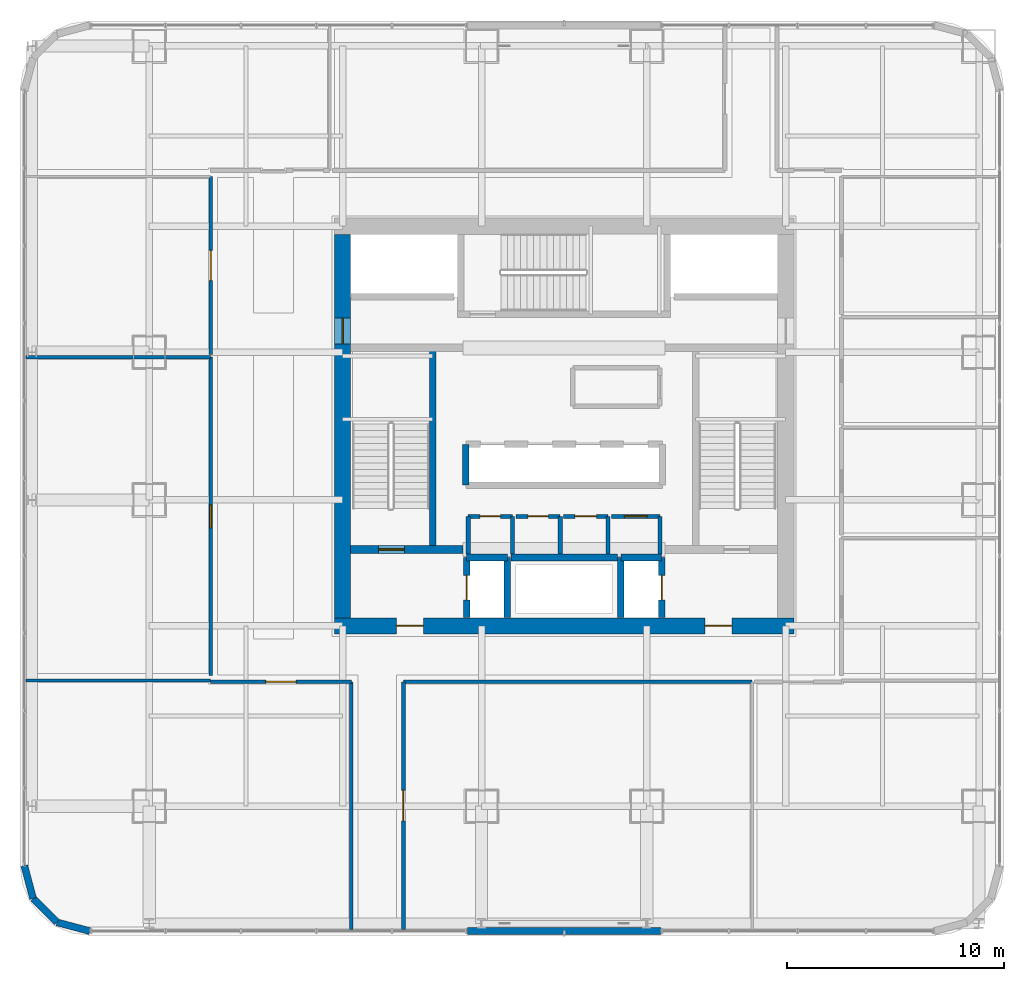
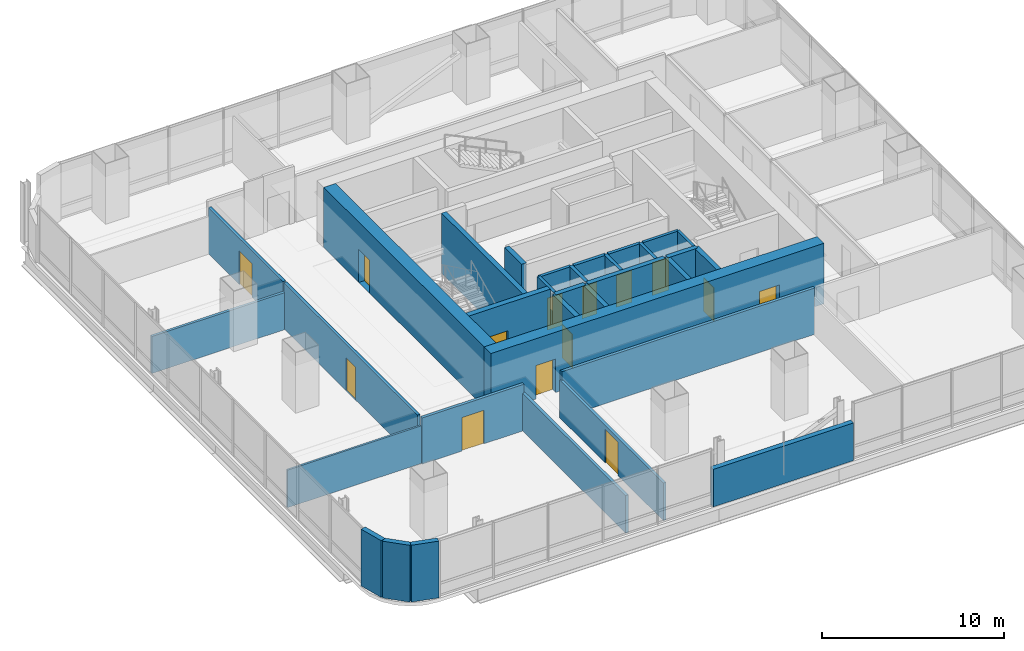
# One storey, part 26 of 37: 33 walls, 14 doors, 14 openings.
"""IFC4 building model written with IfcOpenShell, lengths in metres."""

from ifc_helpers import new_model, si_unit, direction, frame, frame_2d, origin, place, context, subcontext, project, spatial, rectangle, extrude, material, layer, layer_set, type_object, element, fill, save


model = new_model("IFC4")

# Units and contexts
model_context = context("Model", 3, precision=1e-05, world=origin(), true_north=direction((0.0, 1.0)))
body_context = subcontext(model_context, "Body", "Model", "MODEL_VIEW")
ifc_project = project(units=[si_unit("LENGTHUNIT", "METRE"), si_unit("AREAUNIT", "SQUARE_METRE"), si_unit("VOLUMEUNIT", "CUBIC_METRE"), si_unit("PLANEANGLEUNIT", "RADIAN"), si_unit("MASSUNIT", "GRAM", prefix="KILO")], contexts=[model_context])

# Site, building, storey
site_placement = place(None, origin())
site = spatial("IfcSite", under=ifc_project, at=site_placement, CompositionType="ELEMENT")
building_placement = place(site_placement, origin())
building = spatial("IfcBuilding", under=site, at=building_placement, Name="Punatoya Terracotta Tower", CompositionType="ELEMENT")
storey_placement = place(building_placement, frame((0.0, 0.0, 44.39990234375)))
storey = spatial("IfcBuildingStorey", under=building, at=storey_placement, Name="L09", CompositionType="ELEMENT", Elevation=44.39990234375)

# Wall, openings, doors
ifc_material_1 = material(Name="Concrete C60/75", Category="concrete")
ifc_layer_1 = layer(ifc_material_1, 0.75)
ifc_layer_set_1 = layer_set([ifc_layer_1], Name="Concrete C60/75")
wall_type_1 = type_object("IfcWallType", Name="WL-COR-750", PredefinedType="SHEAR", material=ifc_layer_set_1)
wall_1_placement = place(storey_placement, frame((10.574951171875, -9.199951171875, 0.0), z_axis=(0.0, 0.0, 1.0), x_axis=(-1.0, 0.0, 0.0)))
wall_1 = element("IfcWall", 1, at=wall_1_placement, inside=storey, type_object=wall_type_1, Name="L09 Core Shear Wall S", PredefinedType="SHEAR", context=body_context, shape_type="SweptSolid", body=[
    extrude(rectangle(XDim=21.14990234375, YDim=0.75, at=frame_2d((10.574951171875, 0.0))), origin(), (0.0, 0.0, 1.0), 4.050048828125),
])
opening_1_placement = place(wall_1_placement, frame((2.85009765625, 0.0, 0.0)))
opening_1 = element("IfcOpeningElement", 2, at=opening_1_placement, cuts=wall_1, Name="Opening FD-L1", PredefinedType="OPENING", context=body_context, shape_type="SweptSolid", body=[
    extrude(rectangle(XDim=1.25, YDim=2.25, at=frame_2d((0.625, 1.125))), frame((0.0, 0.385009765625, 0.0), z_axis=(0.0, -1.0, 0.0), x_axis=(1.0, 0.0, 0.0)), (0.0, 0.0, 1.0), 0.77001953125),
])
opening_2_placement = place(wall_1_placement, frame((17.050048828125, 0.0, 0.0)))
opening_2 = element("IfcOpeningElement", 3, at=opening_2_placement, cuts=wall_1, Name="Opening FD-L1", PredefinedType="OPENING", context=body_context, shape_type="SweptSolid", body=[
    extrude(rectangle(XDim=1.25, YDim=2.25, at=frame_2d((0.625, 1.125))), frame((0.0, 0.385009765625, 0.0), z_axis=(0.0, -1.0, 0.0), x_axis=(1.0, 0.0, 0.0)), (0.0, 0.0, 1.0), 0.77001953125),
])
ifc_material_2 = material(Name="Galvanised Steel Smokeproof Fire Door", Category="steel")
door_type_1 = type_object("IfcDoorType", Name="DR-FFL-1250", OperationType="NOTDEFINED", PredefinedType="DOOR", material=ifc_material_2)
door_1_placement = place(opening_1_placement, origin())
door_1 = element("IfcDoor", 4, at=door_1_placement, inside=storey, type_object=door_type_1, Name="L09 East Firefighting Lobby Corridor Fire Door", OperationType="SINGLE_SWING_LEFT", OverallHeight=2.25, OverallWidth=1.25, PredefinedType="DOOR", context=body_context, shape_type="SweptSolid", body=[
    extrude(rectangle(XDim=1.25, YDim=2.25, at=frame_2d((0.625, 1.125))), frame((0.0, 0.02490234375, 0.0), z_axis=(0.0, -1.0, 0.0), x_axis=(1.0, 0.0, 0.0)), (0.0, 0.0, 1.0), 0.050048828125),
])
fill(opening_1, door_1)
door_2_placement = place(opening_2_placement, origin())
door_2 = element("IfcDoor", 5, at=door_2_placement, inside=storey, type_object=door_type_1, Name="L09 West Firefighting Lobby Corridor Fire Door", OperationType="SINGLE_SWING_RIGHT", OverallHeight=2.25, OverallWidth=1.25, PredefinedType="DOOR", context=body_context, shape_type="SweptSolid", body=[
    extrude(rectangle(XDim=1.25, YDim=2.25, at=frame_2d((0.625, 1.125))), frame((0.0, 0.02490234375, 0.0), z_axis=(0.0, -1.0, 0.0), x_axis=(1.0, 0.0, 0.0)), (0.0, 0.0, 1.0), 0.050048828125),
])
fill(opening_2, door_2)

# Wall, opening, door
wall_2_placement = place(storey_placement, frame((-10.199951171875, -8.824951171875, 0.0), z_axis=(0.0, 0.0, 1.0), x_axis=(0.0, 1.0, 0.0)))
wall_2 = element("IfcWall", 6, at=wall_2_placement, inside=storey, type_object=wall_type_1, Name="L09 Core Shear Wall W", PredefinedType="SHEAR", context=body_context, shape_type="SweptSolid", body=[
    extrude(rectangle(XDim=17.64990234375, YDim=0.75, at=frame_2d((8.824951171875, 0.0))), origin(), (0.0, 0.0, 1.0), 4.050048828125),
])
opening_3_placement = place(wall_2_placement, frame((12.614990234375, 0.0, 0.0)))
opening_3 = element("IfcOpeningElement", 7, at=opening_3_placement, cuts=wall_2, Name="Opening SD-01", PredefinedType="OPENING", context=body_context, shape_type="SweptSolid", body=[
    extrude(rectangle(XDim=1.179931640625, YDim=2.199951171875, at=frame_2d((0.58984375, 1.10009765625))), frame((0.0, 0.385009765625, 0.0), z_axis=(0.0, -1.0, 0.0), x_axis=(1.0, 0.0, 0.0)), (0.0, 0.0, 1.0), 0.77001953125),
])
ifc_material_3 = material(Name="Galvanised Steel Pressurized Stair Fire Door", Category="steel")
door_type_2 = type_object("IfcDoorType", Name="DR-STR-1180", OperationType="NOTDEFINED", PredefinedType="DOOR", material=ifc_material_3)
door_3_placement = place(opening_3_placement, origin())
door_3 = element("IfcDoor", 8, at=door_3_placement, inside=storey, type_object=door_type_2, Name="L09 Central Lift Lobby West Fire Door", OperationType="SINGLE_SWING_LEFT", OverallHeight=2.199951171875, OverallWidth=1.179931640625, PredefinedType="DOOR", context=body_context, shape_type="SweptSolid", body=[
    extrude(rectangle(XDim=1.179931640625, YDim=2.199951171875, at=frame_2d((0.58984375, 1.10009765625))), frame((0.0, 0.02490234375, 0.0), z_axis=(0.0, -1.0, 0.0), x_axis=(1.0, 0.0, 0.0)), (0.0, 0.0, 1.0), 0.050048828125),
])
fill(opening_3, door_3)

# Wall
ifc_material_4 = material(Name="Gypsum Fireboard + Steel Stud", Category="steel")
ifc_layer_2 = layer(ifc_material_4, 0.179931640625)
ifc_layer_set_2 = layer_set([ifc_layer_2], Name="Gypsum Fireboard + Steel Stud")
wall_type_2 = type_object("IfcWallType", Name="WL-CORR-180", PredefinedType="PARTITIONING", material=ifc_layer_set_2)
wall_3_placement = place(storey_placement, frame((4.419921875, -5.89990234375, 0.0), z_axis=(0.0, 0.0, 1.0), x_axis=(0.0, 1.0, 0.0)))
element("IfcWall", 9, at=wall_3_placement, inside=storey, type_object=wall_type_2, Name="L09 Core Reprographics Studio Partition 08", PredefinedType="PARTITIONING", context=body_context, shape_type="SweptSolid", body=[
    extrude(rectangle(XDim=1.739990234375, YDim=0.179931640625, at=frame_2d((0.8701171875, 0.0))), origin(), (0.0, 0.0, 1.0), 3.81005859375),
])

# Wall, opening, door
wall_4_placement = place(storey_placement, frame((4.419921875, -4.159912109375, 0.0), z_axis=(0.0, 0.0, 1.0), x_axis=(-1.0, 0.0, 0.0)))
wall_4 = element("IfcWall", 10, at=wall_4_placement, inside=storey, type_object=wall_type_2, Name="L09 Core Reprographics Studio Partition 09", PredefinedType="PARTITIONING", context=body_context, shape_type="SweptSolid", body=[
    extrude(rectangle(XDim=2.239990234375, YDim=0.179931640625, at=frame_2d((1.1201171875, 0.0))), origin(), (0.0, 0.0, 1.0), 3.81005859375),
])
opening_4_placement = place(wall_4_placement, frame((0.594970703125, 0.0, 0.0)))
opening_4 = element("IfcOpeningElement", 11, at=opening_4_placement, cuts=wall_4, Name="Opening OD-01", PredefinedType="OPENING", context=body_context, shape_type="SweptSolid", body=[
    extrude(rectangle(XDim=1.050048828125, YDim=2.199951171875, at=frame_2d((0.52490234375, 1.10009765625))), frame((0.0, 0.099853515625, 0.0), z_axis=(0.0, -1.0, 0.0), x_axis=(1.0, 0.0, 0.0)), (0.0, 0.0, 1.0), 0.199951171875),
])
ifc_material_5 = material(Name="Bengal Teak Solid-Core Leaf")
door_type_3 = type_object("IfcDoorType", Name="DR-OFF-1050", OperationType="NOTDEFINED", PredefinedType="DOOR", material=ifc_material_5)
door_4_placement = place(opening_4_placement, origin())
door_4 = element("IfcDoor", 12, at=door_4_placement, inside=storey, type_object=door_type_3, Name="L09 Reprographics Studio Door", OperationType="SINGLE_SWING_LEFT", OverallHeight=2.199951171875, OverallWidth=1.050048828125, PredefinedType="DOOR", context=body_context, shape_type="SweptSolid", body=[
    extrude(rectangle(XDim=1.050048828125, YDim=2.199951171875, at=frame_2d((0.52490234375, 1.10009765625))), frame((0.0, 0.02490234375, 0.0), z_axis=(0.0, -1.0, 0.0), x_axis=(1.0, 0.0, 0.0)), (0.0, 0.0, 1.0), 0.050048828125),
])
fill(opening_4, door_4)

wall_5_placement = place(storey_placement, frame((-7.39990234375, -23.169921875, 0.0), z_axis=(0.0, 0.0, 1.0), x_axis=(0.0, 1.0, 0.0)))
wall_5 = element("IfcWall", 13, at=wall_5_placement, inside=storey, type_object=wall_type_2, Name="L09 Plenary Seminar Room Partition 14", PredefinedType="PARTITIONING", context=body_context, shape_type="SweptSolid", body=[
    extrude(rectangle(XDim=11.39990234375, YDim=0.179931640625, at=frame_2d((5.699951171875, 0.0))), origin(), (0.0, 0.0, 1.0), 2.524169921875),
])
opening_5_placement = place(wall_5_placement, frame((5.0, 0.0, 0.0)))
opening_5 = element("IfcOpeningElement", 14, at=opening_5_placement, cuts=wall_5, Name="Opening BD-01", PredefinedType="OPENING", context=body_context, shape_type="SweptSolid", body=[
    extrude(rectangle(XDim=1.39990234375, YDim=2.25, at=frame_2d((0.699951171875, 1.125))), frame((0.0, 0.099853515625, 0.0), z_axis=(0.0, -1.0, 0.0), x_axis=(1.0, 0.0, 0.0)), (0.0, 0.0, 1.0), 0.199951171875),
])
ifc_material_6 = material(Name="Bengal Teak Acoustic Leaf")
door_type_4 = type_object("IfcDoorType", Name="DR-BRD-1400", OperationType="NOTDEFINED", PredefinedType="DOOR", material=ifc_material_6)
door_5_placement = place(opening_5_placement, origin())
door_5 = element("IfcDoor", 15, at=door_5_placement, inside=storey, type_object=door_type_4, Name="L09 Plenary Seminar Room Door", OperationType="SINGLE_SWING_LEFT", OverallHeight=2.25, OverallWidth=1.39990234375, PredefinedType="DOOR", context=body_context, shape_type="SweptSolid", body=[
    extrude(rectangle(XDim=1.39990234375, YDim=2.25, at=frame_2d((0.699951171875, 1.125))), frame((0.0, 0.02490234375, 0.0), z_axis=(0.0, -1.0, 0.0), x_axis=(1.0, 0.0, 0.0)), (0.0, 0.0, 1.0), 0.050048828125),
])
fill(opening_5, door_5)

# Wall
wall_6_placement = place(storey_placement, frame((-7.39990234375, -11.77001953125, 0.0), z_axis=(0.0, 0.0, 1.0), x_axis=(1.0, 0.0, 0.0)))
element("IfcWall", 16, at=wall_6_placement, inside=storey, type_object=wall_type_2, Name="L09 Plenary Seminar Room Partition 15", PredefinedType="PARTITIONING", context=body_context, shape_type="SweptSolid", body=[
    extrude(rectangle(XDim=16.052001953125, YDim=0.179931640625, at=frame_2d((8.02587890625, 0.0))), origin(), (0.0, 0.0, 1.0), 3.10400390625),
])

# Wall, opening, door
wall_7_placement = place(storey_placement, frame((-16.27001953125, -11.77001953125, 0.0), z_axis=(0.0, 0.0, 1.0), x_axis=(1.0, 0.0, 0.0)))
wall_7 = element("IfcWall", 17, at=wall_7_placement, inside=storey, type_object=wall_type_2, Name="L09 Client Strategy Boardroom Partition 18", PredefinedType="PARTITIONING", context=body_context, shape_type="SweptSolid", body=[
    extrude(rectangle(XDim=6.469970703125, YDim=0.179931640625, at=frame_2d((3.23486328125, 0.0))), origin(), (0.0, 0.0, 1.0), 3.10400390625),
])
opening_6_placement = place(wall_7_placement, frame((2.534912109375, 0.0, 0.0)))
opening_6 = element("IfcOpeningElement", 18, at=opening_6_placement, cuts=wall_7, Name="Opening BD-01", PredefinedType="OPENING", context=body_context, shape_type="SweptSolid", body=[
    extrude(rectangle(XDim=1.39990234375, YDim=2.25, at=frame_2d((0.699951171875, 1.125))), frame((0.0, 0.099853515625, 0.0), z_axis=(0.0, -1.0, 0.0), x_axis=(1.0, 0.0, 0.0)), (0.0, 0.0, 1.0), 0.199951171875),
])
door_6_placement = place(opening_6_placement, origin())
door_6 = element("IfcDoor", 19, at=door_6_placement, inside=storey, type_object=door_type_4, Name="L09 Client Strategy Boardroom Door", OperationType="SINGLE_SWING_RIGHT", OverallHeight=2.25, OverallWidth=1.39990234375, PredefinedType="DOOR", context=body_context, shape_type="SweptSolid", body=[
    extrude(rectangle(XDim=1.39990234375, YDim=2.25, at=frame_2d((0.699951171875, 1.125))), frame((0.0, 0.02490234375, 0.0), z_axis=(0.0, -1.0, 0.0), x_axis=(1.0, 0.0, 0.0)), (0.0, 0.0, 1.0), 0.050048828125),
])
fill(opening_6, door_6)

# Wall
wall_8_placement = place(storey_placement, frame((-9.800048828125, -11.77001953125, 0.0), z_axis=(0.0, 0.0, 1.0), x_axis=(0.0, -1.0, 0.0)))
element("IfcWall", 20, at=wall_8_placement, inside=storey, type_object=wall_type_2, Name="L09 Client Strategy Boardroom Partition 19", PredefinedType="PARTITIONING", context=body_context, shape_type="SweptSolid", body=[
    extrude(rectangle(XDim=11.39990234375, YDim=0.179931640625, at=frame_2d((5.699951171875, 0.0))), origin(), (0.0, 0.0, 1.0), 2.524169921875),
])

# Wall, opening, door
wall_9_placement = place(storey_placement, frame((-16.27001953125, 3.174072265625, 0.0), z_axis=(0.0, 0.0, 1.0), x_axis=(0.0, -1.0, 0.0)))
wall_9 = element("IfcWall", 21, at=wall_9_placement, inside=storey, type_object=wall_type_2, Name="L09 Open-Plan Breakout Tea Pantry Partition 25", PredefinedType="PARTITIONING", context=body_context, shape_type="SweptSolid", body=[
    extrude(rectangle(XDim=14.6640625, YDim=0.179931640625, at=frame_2d((7.33203125, 0.0))), origin(), (0.0, 0.0, 1.0), 3.10400390625),
])
opening_7_placement = place(wall_9_placement, frame((6.806884765625, 0.0, 0.0)))
opening_7 = element("IfcOpeningElement", 22, at=opening_7_placement, cuts=wall_9, Name="Opening OD-01", PredefinedType="OPENING", context=body_context, shape_type="SweptSolid", body=[
    extrude(rectangle(XDim=1.050048828125, YDim=2.199951171875, at=frame_2d((0.52490234375, 1.10009765625))), frame((0.0, 0.099853515625, 0.0), z_axis=(0.0, -1.0, 0.0), x_axis=(1.0, 0.0, 0.0)), (0.0, 0.0, 1.0), 0.199951171875),
])
door_7_placement = place(opening_7_placement, origin())
door_7 = element("IfcDoor", 23, at=door_7_placement, inside=storey, type_object=door_type_3, Name="L09 Open-Plan Breakout Tea Pantry Door", OperationType="SINGLE_SWING_LEFT", OverallHeight=2.199951171875, OverallWidth=1.050048828125, PredefinedType="DOOR", context=body_context, shape_type="SweptSolid", body=[
    extrude(rectangle(XDim=1.050048828125, YDim=2.199951171875, at=frame_2d((0.52490234375, 1.10009765625))), frame((0.0, 0.02490234375, 0.0), z_axis=(0.0, -1.0, 0.0), x_axis=(1.0, 0.0, 0.0)), (0.0, 0.0, 1.0), 0.050048828125),
])
fill(opening_7, door_7)

wall_10_placement = place(storey_placement, frame((-16.27001953125, 11.489990234375, 0.0), z_axis=(0.0, 0.0, 1.0), x_axis=(0.0, -1.0, 0.0)))
wall_10 = element("IfcWall", 24, at=wall_10_placement, inside=storey, type_object=wall_type_2, Name="L09 Open-Plan Case-Study Classroom Partition 31", PredefinedType="PARTITIONING", context=body_context, shape_type="SweptSolid", body=[
    extrude(rectangle(XDim=8.196044921875, YDim=0.179931640625, at=frame_2d((4.09814453125, 0.0))), origin(), (0.0, 0.0, 1.0), 3.10400390625),
])
opening_8_placement = place(wall_10_placement, frame((3.39794921875, 0.0, 0.0)))
opening_8 = element("IfcOpeningElement", 25, at=opening_8_placement, cuts=wall_10, Name="Opening BD-01", PredefinedType="OPENING", context=body_context, shape_type="SweptSolid", body=[
    extrude(rectangle(XDim=1.39990234375, YDim=2.25, at=frame_2d((0.699951171875, 1.125))), frame((0.0, 0.099853515625, 0.0), z_axis=(0.0, -1.0, 0.0), x_axis=(1.0, 0.0, 0.0)), (0.0, 0.0, 1.0), 0.199951171875),
])
door_8_placement = place(opening_8_placement, origin())
door_8 = element("IfcDoor", 26, at=door_8_placement, inside=storey, type_object=door_type_4, Name="L09 Open-Plan Case-Study Classroom Door", OperationType="SINGLE_SWING_RIGHT", OverallHeight=2.25, OverallWidth=1.39990234375, PredefinedType="DOOR", context=body_context, shape_type="SweptSolid", body=[
    extrude(rectangle(XDim=1.39990234375, YDim=2.25, at=frame_2d((0.699951171875, 1.125))), frame((0.0, 0.02490234375, 0.0), z_axis=(0.0, -1.0, 0.0), x_axis=(1.0, 0.0, 0.0)), (0.0, 0.0, 1.0), 0.050048828125),
])
fill(opening_8, door_8)

# Walls
ifc_material_7 = material(Name="Precast concrete C40/50", Category="concrete")
ifc_layer_3 = layer(ifc_material_7, 0.320068359375)
ifc_layer_set_3 = layer_set([ifc_layer_3], Name="Precast concrete C40/50")
wall_type_3 = type_object("IfcWallType", Name="WL-EXT-320", PredefinedType="SOLIDWALL", material=ifc_layer_set_3)
wall_11_placement = place(storey_placement, frame((-4.449951171875, -23.25, 0.0), z_axis=(0.0, 0.0, 1.0), x_axis=(1.0, 0.0, 0.0)))
element("IfcWall", 27, at=wall_11_placement, inside=storey, type_object=wall_type_3, Name="L09 Terracotta Braced Facade Wall S1", PredefinedType="SOLIDWALL", context=body_context, shape_type="SweptSolid", body=[
    extrude(rectangle(XDim=8.89990234375, YDim=0.320068359375, at=frame_2d((4.449951171875, 0.0))), origin(), (0.0, 0.0, 1.0), 2.524169921875),
])
wall_12_placement = place(storey_placement, frame((-24.85009765625, -20.23681640625, 0.0), z_axis=(0.0, 0.0, 1.0), x_axis=(0.257847112249, -0.966185730957, 0.0)))
element("IfcWall", 28, at=wall_12_placement, inside=storey, type_object=wall_type_3, Name="L09 Rounded Terracotta Corner Pier 14", PredefinedType="SOLIDWALL", context=body_context, shape_type="SweptSolid", body=[
    extrude(rectangle(XDim=1.565185546875, YDim=0.320068359375, at=frame_2d((0.78271484375, 0.0))), origin(), (0.0, 0.0, 1.0), 3.81005859375),
])
wall_13_placement = place(storey_placement, frame((-24.446533203125, -21.7490234375, 0.0), z_axis=(0.0, 0.0, 1.0), x_axis=(0.707028130747, -0.707185422879, 0.0)))
element("IfcWall", 29, at=wall_13_placement, inside=storey, type_object=wall_type_3, Name="L09 Rounded Terracotta Corner Pier 15", PredefinedType="SOLIDWALL", context=body_context, shape_type="SweptSolid", body=[
    extrude(rectangle(XDim=1.55224609375, YDim=0.320068359375, at=frame_2d((0.776123046875, 0.0))), origin(), (0.0, 0.0, 1.0), 3.81005859375),
])
wall_14_placement = place(storey_placement, frame((-23.34912109375, -22.8466796875, 0.0), z_axis=(0.0, 0.0, 1.0), x_axis=(0.966224582397, -0.257701486942, 0.0)))
element("IfcWall", 30, at=wall_14_placement, inside=storey, type_object=wall_type_3, Name="L09 Rounded Terracotta Corner Pier 16", PredefinedType="SOLIDWALL", context=body_context, shape_type="SweptSolid", body=[
    extrude(rectangle(XDim=1.565185546875, YDim=0.320068359375, at=frame_2d((0.78271484375, 0.0))), origin(), (0.0, 0.0, 1.0), 3.81005859375),
])
ifc_material_8 = material(Name="Concrete C40/50", Category="concrete")
ifc_layer_4 = layer(ifc_material_8, 0.199951171875)
ifc_layer_set_4 = layer_set([ifc_layer_4], Name="Concrete C40/50")
wall_type_4 = type_object("IfcWallType", Name="WL-INT-200", PredefinedType="SOLIDWALL", material=ifc_layer_set_4)
wall_15_placement = place(storey_placement, frame((-2.3798828125, -5.89990234375, 0.0), z_axis=(0.0, 0.0, 1.0), x_axis=(0.0, 1.0, 0.0)))
element("IfcWall", 31, at=wall_15_placement, inside=storey, type_object=wall_type_4, Name="L09 Male Washroom Partition 01", PredefinedType="SOLIDWALL", context=body_context, shape_type="SweptSolid", body=[
    extrude(rectangle(XDim=1.739990234375, YDim=0.199951171875, at=frame_2d((0.8701171875, 0.0))), origin(), (0.0, 0.0, 1.0), 3.81005859375),
])

# Wall, opening, door
wall_16_placement = place(storey_placement, frame((-2.3798828125, -4.159912109375, 0.0), z_axis=(0.0, 0.0, 1.0), x_axis=(-1.0, 0.0, 0.0)))
wall_16 = element("IfcWall", 32, at=wall_16_placement, inside=storey, type_object=wall_type_4, Name="L09 Male Washroom Partition 02", PredefinedType="SOLIDWALL", context=body_context, shape_type="SweptSolid", body=[
    extrude(rectangle(XDim=2.0400390625, YDim=0.199951171875, at=frame_2d((1.02001953125, 0.0))), origin(), (0.0, 0.0, 1.0), 3.81005859375),
])
opening_9_placement = place(wall_16_placement, frame((0.544921875, 0.0, 0.0)))
opening_9 = element("IfcOpeningElement", 33, at=opening_9_placement, cuts=wall_16, Name="Opening WD-01", PredefinedType="OPENING", context=body_context, shape_type="SweptSolid", body=[
    extrude(rectangle(XDim=0.949951171875, YDim=2.14990234375, at=frame_2d((0.47509765625, 1.074951171875))), frame((0.0, 0.10986328125, 0.0), z_axis=(0.0, -1.0, 0.0), x_axis=(1.0, 0.0, 0.0)), (0.0, 0.0, 1.0), 0.219970703125),
])
ifc_material_9 = material(Name="Moisture-Resistant Laminate Timber Leaf", Category="wood")
door_type_5 = type_object("IfcDoorType", Name="DR-WC-950", OperationType="NOTDEFINED", PredefinedType="DOOR", material=ifc_material_9)
door_9_placement = place(opening_9_placement, origin())
door_9 = element("IfcDoor", 34, at=door_9_placement, inside=storey, type_object=door_type_5, Name="L09 Male Washroom Door", OperationType="SINGLE_SWING_RIGHT", OverallHeight=2.14990234375, OverallWidth=0.949951171875, PredefinedType="DOOR", context=body_context, shape_type="SweptSolid", body=[
    extrude(rectangle(XDim=0.949951171875, YDim=2.14990234375, at=frame_2d((0.47509765625, 1.074951171875))), frame((0.0, 0.02490234375, 0.0), z_axis=(0.0, -1.0, 0.0), x_axis=(1.0, 0.0, 0.0)), (0.0, 0.0, 1.0), 0.050048828125),
])
fill(opening_9, door_9)

# Walls
for number, where, z_axis, x_axis, name in (
    (35, (-4.419921875, -4.159912109375, 0.0), (0.0, 0.0, 1.0), (0.0, -1.0, 0.0), "L09 Male Washroom Partition 03"),
    (36, (-0.179931640625, -5.89990234375, 0.0), (0.0, 0.0, 1.0), (0.0, 1.0, 0.0), "L09 Female Washroom Partition 04"),
):
    element("IfcWall", number, at=place(storey_placement, frame(where, z_axis=z_axis, x_axis=x_axis)), inside=storey, type_object=wall_type_4, Name=name, PredefinedType="SOLIDWALL", context=body_context, shape_type="SweptSolid", body=[
        extrude(rectangle(XDim=1.739990234375, YDim=0.199951171875, at=frame_2d((0.8701171875, 0.0))), origin(), (0.0, 0.0, 1.0), 3.81005859375),
    ])

# Wall, opening, door
wall_17_placement = place(storey_placement, frame((-0.179931640625, -4.159912109375, 0.0), z_axis=(0.0, 0.0, 1.0), x_axis=(-1.0, 0.0, 0.0)))
wall_17 = element("IfcWall", 37, at=wall_17_placement, inside=storey, type_object=wall_type_4, Name="L09 Female Washroom Partition 05", PredefinedType="SOLIDWALL", context=body_context, shape_type="SweptSolid", body=[
    extrude(rectangle(XDim=2.0400390625, YDim=0.199951171875, at=frame_2d((1.02001953125, 0.0))), origin(), (0.0, 0.0, 1.0), 3.81005859375),
])
opening_10_placement = place(wall_17_placement, frame((0.544921875, 0.0, 0.0)))
opening_10 = element("IfcOpeningElement", 38, at=opening_10_placement, cuts=wall_17, Name="Opening WD-01", PredefinedType="OPENING", context=body_context, shape_type="SweptSolid", body=[
    extrude(rectangle(XDim=0.949951171875, YDim=2.14990234375, at=frame_2d((0.47509765625, 1.074951171875))), frame((0.0, 0.10986328125, 0.0), z_axis=(0.0, -1.0, 0.0), x_axis=(1.0, 0.0, 0.0)), (0.0, 0.0, 1.0), 0.219970703125),
])
door_10_placement = place(opening_10_placement, origin())
door_10 = element("IfcDoor", 39, at=door_10_placement, inside=storey, type_object=door_type_5, Name="L09 Female Washroom Door", OperationType="SINGLE_SWING_LEFT", OverallHeight=2.14990234375, OverallWidth=0.949951171875, PredefinedType="DOOR", context=body_context, shape_type="SweptSolid", body=[
    extrude(rectangle(XDim=0.949951171875, YDim=2.14990234375, at=frame_2d((0.47509765625, 1.074951171875))), frame((0.0, 0.02490234375, 0.0), z_axis=(0.0, -1.0, 0.0), x_axis=(1.0, 0.0, 0.0)), (0.0, 0.0, 1.0), 0.050048828125),
])
fill(opening_10, door_10)

# Wall
wall_18_placement = place(storey_placement, frame((2.02001953125, -5.89990234375, 0.0), z_axis=(0.0, 0.0, 1.0), x_axis=(0.0, 1.0, 0.0)))
element("IfcWall", 40, at=wall_18_placement, inside=storey, type_object=wall_type_4, Name="L09 Accessible Universal Washroom Partition 06", PredefinedType="SOLIDWALL", context=body_context, shape_type="SweptSolid", body=[
    extrude(rectangle(XDim=1.739990234375, YDim=0.199951171875, at=frame_2d((0.8701171875, 0.0))), origin(), (0.0, 0.0, 1.0), 3.81005859375),
])

# Wall, opening, door
wall_19_placement = place(storey_placement, frame((2.02001953125, -4.159912109375, 0.0), z_axis=(0.0, 0.0, 1.0), x_axis=(-1.0, 0.0, 0.0)))
wall_19 = element("IfcWall", 41, at=wall_19_placement, inside=storey, type_object=wall_type_4, Name="L09 Accessible Universal Washroom Partition 07", PredefinedType="SOLIDWALL", context=body_context, shape_type="SweptSolid", body=[
    extrude(rectangle(XDim=2.0400390625, YDim=0.199951171875, at=frame_2d((1.02001953125, 0.0))), origin(), (0.0, 0.0, 1.0), 3.81005859375),
])
opening_11_placement = place(wall_19_placement, frame((0.52001953125, 0.0, 0.0)))
opening_11 = element("IfcOpeningElement", 42, at=opening_11_placement, cuts=wall_19, Name="Opening AWD-1", PredefinedType="OPENING", context=body_context, shape_type="SweptSolid", body=[
    extrude(rectangle(XDim=1.0, YDim=2.14990234375, at=frame_2d((0.5, 1.074951171875))), frame((0.0, 0.10986328125, 0.0), z_axis=(0.0, -1.0, 0.0), x_axis=(1.0, 0.0, 0.0)), (0.0, 0.0, 1.0), 0.219970703125),
])
ifc_material_10 = material(Name="Bengal Teak Accessible WC Leaf")
door_type_6 = type_object("IfcDoorType", Name="DR-ACC-1000", OperationType="NOTDEFINED", PredefinedType="DOOR", material=ifc_material_10)
door_11_placement = place(opening_11_placement, origin())
door_11 = element("IfcDoor", 43, at=door_11_placement, inside=storey, type_object=door_type_6, Name="L09 Accessible Universal Washroom Door", OperationType="SINGLE_SWING_RIGHT", OverallHeight=2.14990234375, OverallWidth=1.0, PredefinedType="DOOR", context=body_context, shape_type="SweptSolid", body=[
    extrude(rectangle(XDim=1.0, YDim=2.14990234375, at=frame_2d((0.5, 1.074951171875))), frame((0.0, 0.02490234375, 0.0), z_axis=(0.0, -1.0, 0.0), x_axis=(1.0, 0.0, 0.0)), (0.0, 0.0, 1.0), 0.050048828125),
])
fill(opening_11, door_11)

# Walls
ifc_material_11 = material(Name="Gypsum Partition + Steel Stud", Category="steel")
ifc_layer_5 = layer(ifc_material_11, 0.1201171875)
ifc_layer_set_5 = layer_set([ifc_layer_5], Name="Gypsum Partition + Steel Stud")
wall_type_5 = type_object("IfcWallType", Name="WL-OFF-120", PredefinedType="PARTITIONING", material=ifc_layer_set_5)
wall_20_placement = place(storey_placement, frame((-24.77001953125, -11.7099609375, 0.0), z_axis=(0.0, 0.0, 1.0), x_axis=(1.0, 0.0, 0.0)))
element("IfcWall", 44, at=wall_20_placement, inside=storey, type_object=wall_type_5, Name="L09 Client Strategy Boardroom Partition 17", PredefinedType="PARTITIONING", context=body_context, shape_type="SweptSolid", body=[
    extrude(rectangle(XDim=8.5, YDim=0.1201171875, at=frame_2d((4.25, 0.0))), origin(), (0.0, 0.0, 1.0), 2.524169921875),
])
ifc_layer_6 = layer(ifc_material_8, 0.300048828125)
ifc_layer_set_6 = layer_set([ifc_layer_6], Name="Concrete C40/50")
wall_type_6 = type_object("IfcWallType", Name="WL-SHF-300", PredefinedType="SOLIDWALL", material=ifc_layer_set_6)
wall_21_placement = place(storey_placement, frame((-6.050048828125, -5.5, 0.0), z_axis=(0.0, 0.0, 1.0), x_axis=(0.0, 1.0, 0.0)))
element("IfcWall", 45, at=wall_21_placement, inside=storey, type_object=wall_type_6, Name="L09 Structural Stair Shaft Wall SW-ST1-E", PredefinedType="SOLIDWALL", context=body_context, shape_type="SweptSolid", body=[
    extrude(rectangle(XDim=8.949951171875, YDim=0.300048828125, at=frame_2d((4.47509765625, 0.0))), origin(), (0.0, 0.0, 1.0), 4.050048828125),
])

# Wall, opening, door
wall_22_placement = place(storey_placement, frame((-4.489990234375, -8.820068359375, 0.0), z_axis=(0.0, 0.0, 1.0), x_axis=(0.0, 1.0, 0.0)))
wall_22 = element("IfcWall", 46, at=wall_22_placement, inside=storey, type_object=wall_type_6, Name="L09 FFL-1 Front Hoistway Wall", PredefinedType="SOLIDWALL", context=body_context, shape_type="SweptSolid", body=[
    extrude(rectangle(XDim=2.77001953125, YDim=0.300048828125, at=frame_2d((1.385009765625, 0.0))), origin(), (0.0, 0.0, 1.0), 3.81005859375),
])
opening_12_placement = place(wall_22_placement, frame((0.824951171875, 0.0, 0.0)))
opening_12 = element("IfcOpeningElement", 47, at=opening_12_placement, cuts=wall_22, Name="Opening LD-02", PredefinedType="OPENING", context=body_context, shape_type="SweptSolid", body=[
    extrude(rectangle(XDim=1.1201171875, YDim=2.25, at=frame_2d((0.56005859375, 1.125))), frame((0.0, 0.159912109375, 0.0), z_axis=(0.0, -1.0, 0.0), x_axis=(1.0, 0.0, 0.0)), (0.0, 0.0, 1.0), 0.320068359375),
])
ifc_material_12 = material(Name="Stainless Steel Lift Landing Door", Category="steel")
door_type_7 = type_object("IfcDoorType", Name="DR-LND-1120", OperationType="NOTDEFINED", PredefinedType="DOOR", material=ifc_material_12)
door_12_placement = place(opening_12_placement, origin())
door_12 = element("IfcDoor", 48, at=door_12_placement, inside=storey, type_object=door_type_7, Name="L09 Firefighting Lift FFL-1 Sliding Landing Door", OperationType="SLIDING_TO_LEFT", OverallHeight=2.25, OverallWidth=1.1201171875, PredefinedType="DOOR", context=body_context, shape_type="SweptSolid", body=[
    extrude(rectangle(XDim=1.1201171875, YDim=2.25, at=frame_2d((0.56005859375, 1.125))), frame((0.0, 0.02490234375, 0.0), z_axis=(0.0, -1.0, 0.0), x_axis=(1.0, 0.0, 0.0)), (0.0, 0.0, 1.0), 0.050048828125),
])
fill(opening_12, door_12)

# Walls
wall_23_placement = place(storey_placement, frame((-2.610107421875, -8.820068359375, 0.0), z_axis=(0.0, 0.0, 1.0), x_axis=(0.0, 1.0, 0.0)))
element("IfcWall", 49, at=wall_23_placement, inside=storey, type_object=wall_type_6, Name="L09 FFL-1 Rear Hoistway Wall", PredefinedType="SOLIDWALL", context=body_context, shape_type="SweptSolid", body=[
    extrude(rectangle(XDim=2.77001953125, YDim=0.300048828125, at=frame_2d((1.385009765625, 0.0))), origin(), (0.0, 0.0, 1.0), 3.81005859375),
])
wall_24_placement = place(storey_placement, frame((-4.489990234375, -6.050048828125, 0.0), z_axis=(0.0, 0.0, 1.0), x_axis=(1.0, 0.0, 0.0)))
element("IfcWall", 50, at=wall_24_placement, inside=storey, type_object=wall_type_6, Name="L09 FFL-1 North Hoistway Wall", PredefinedType="SOLIDWALL", context=body_context, shape_type="SweptSolid", body=[
    extrude(rectangle(XDim=1.8798828125, YDim=0.300048828125, at=frame_2d((0.93994140625, 0.0))), origin(), (0.0, 0.0, 1.0), 3.81005859375),
])

# Wall, opening, door
wall_25_placement = place(storey_placement, frame((4.489990234375, -8.820068359375, 0.0), z_axis=(0.0, 0.0, 1.0), x_axis=(0.0, 1.0, 0.0)))
wall_25 = element("IfcWall", 51, at=wall_25_placement, inside=storey, type_object=wall_type_6, Name="L09 FFL-2 Front Hoistway Wall", PredefinedType="SOLIDWALL", context=body_context, shape_type="SweptSolid", body=[
    extrude(rectangle(XDim=2.77001953125, YDim=0.300048828125, at=frame_2d((1.385009765625, 0.0))), origin(), (0.0, 0.0, 1.0), 3.81005859375),
])
opening_13_placement = place(wall_25_placement, frame((0.824951171875, 0.0, 0.0)))
opening_13 = element("IfcOpeningElement", 52, at=opening_13_placement, cuts=wall_25, Name="Opening LD-02", PredefinedType="OPENING", context=body_context, shape_type="SweptSolid", body=[
    extrude(rectangle(XDim=1.1201171875, YDim=2.25, at=frame_2d((0.56005859375, 1.125))), frame((0.0, 0.159912109375, 0.0), z_axis=(0.0, -1.0, 0.0), x_axis=(1.0, 0.0, 0.0)), (0.0, 0.0, 1.0), 0.320068359375),
])
door_13_placement = place(opening_13_placement, origin())
door_13 = element("IfcDoor", 53, at=door_13_placement, inside=storey, type_object=door_type_7, Name="L09 Firefighting Lift FFL-2 Sliding Landing Door", OperationType="SLIDING_TO_RIGHT", OverallHeight=2.25, OverallWidth=1.1201171875, PredefinedType="DOOR", context=body_context, shape_type="SweptSolid", body=[
    extrude(rectangle(XDim=1.1201171875, YDim=2.25, at=frame_2d((0.56005859375, 1.125))), frame((0.0, 0.02490234375, 0.0), z_axis=(0.0, -1.0, 0.0), x_axis=(1.0, 0.0, 0.0)), (0.0, 0.0, 1.0), 0.050048828125),
])
fill(opening_13, door_13)

# Walls
wall_26_placement = place(storey_placement, frame((2.610107421875, -8.820068359375, 0.0), z_axis=(0.0, 0.0, 1.0), x_axis=(0.0, 1.0, 0.0)))
element("IfcWall", 54, at=wall_26_placement, inside=storey, type_object=wall_type_6, Name="L09 FFL-2 Rear Hoistway Wall", PredefinedType="SOLIDWALL", context=body_context, shape_type="SweptSolid", body=[
    extrude(rectangle(XDim=2.77001953125, YDim=0.300048828125, at=frame_2d((1.385009765625, 0.0))), origin(), (0.0, 0.0, 1.0), 3.81005859375),
])
for number, where, z_axis, x_axis, name in (
    (55, (2.610107421875, -6.050048828125, 0.0), (0.0, 0.0, 1.0), (1.0, 0.0, 0.0), "L09 FFL-2 North Hoistway Wall"),
    (56, (-4.52001953125, -2.719970703125, 0.0), (0.0, 0.0, 1.0), (0.0, 1.0, 0.0), "L09 South Lift Bank West End Wall"),
):
    element("IfcWall", number, at=place(storey_placement, frame(where, z_axis=z_axis, x_axis=x_axis)), inside=storey, type_object=wall_type_6, Name=name, PredefinedType="SOLIDWALL", context=body_context, shape_type="SweptSolid", body=[
        extrude(rectangle(XDim=1.8798828125, YDim=0.300048828125, at=frame_2d((0.93994140625, 0.0))), origin(), (0.0, 0.0, 1.0), 3.81005859375),
    ])
wall_27_placement = place(storey_placement, frame((-2.449951171875, -6.050048828125, 0.0), z_axis=(0.0, 0.0, 1.0), x_axis=(1.0, 0.0, 0.0)))
element("IfcWall", 57, at=wall_27_placement, inside=storey, type_object=wall_type_6, Name="L09 Observation Shuttle Rear Hoistway Wall", PredefinedType="SOLIDWALL", context=body_context, shape_type="SweptSolid", body=[
    extrude(rectangle(XDim=4.89990234375, YDim=0.300048828125, at=frame_2d((2.449951171875, 0.0))), origin(), (0.0, 0.0, 1.0), 3.81005859375),
])

# Wall, opening, door
ifc_material_13 = material(Name="Concrete C50/60", Category="concrete")
ifc_layer_7 = layer(ifc_material_13, 0.35009765625)
ifc_layer_set_7 = layer_set([ifc_layer_7], Name="Concrete C50/60")
wall_type_7 = type_object("IfcWallType", Name="WL-SHF-350", PredefinedType="SOLIDWALL", material=ifc_layer_set_7)
wall_28_placement = place(storey_placement, frame((-9.824951171875, -5.679931640625, 0.0), z_axis=(0.0, 0.0, 1.0), x_axis=(1.0, 0.0, 0.0)))
wall_28 = element("IfcWall", 58, at=wall_28_placement, inside=storey, type_object=wall_type_7, Name="L09 Core Web Wall CSW-L", PredefinedType="SOLIDWALL", context=body_context, shape_type="SweptSolid", body=[
    extrude(rectangle(XDim=5.175048828125, YDim=0.35009765625, at=frame_2d((2.58740234375, 0.0))), origin(), (0.0, 0.0, 1.0), 4.050048828125),
])
opening_14_placement = place(wall_28_placement, frame((1.284912109375, 0.0, 0.0)))
opening_14 = element("IfcOpeningElement", 59, at=opening_14_placement, cuts=wall_28, Name="Opening SD-01", PredefinedType="OPENING", context=body_context, shape_type="SweptSolid", body=[
    extrude(rectangle(XDim=1.179931640625, YDim=2.199951171875, at=frame_2d((0.58984375, 1.10009765625))), frame((0.0, 0.18505859375, 0.0), z_axis=(0.0, -1.0, 0.0), x_axis=(1.0, 0.0, 0.0)), (0.0, 0.0, 1.0), 0.3701171875),
])
door_14_placement = place(opening_14_placement, origin())
door_14 = element("IfcDoor", 60, at=door_14_placement, inside=storey, type_object=door_type_2, Name="L09 Stair ST-1 Smokeproof Lobby Fire Door", OperationType="SINGLE_SWING_LEFT", OverallHeight=2.199951171875, OverallWidth=1.179931640625, PredefinedType="DOOR", context=body_context, shape_type="SweptSolid", body=[
    extrude(rectangle(XDim=1.179931640625, YDim=2.199951171875, at=frame_2d((0.58984375, 1.10009765625))), frame((0.0, 0.02490234375, 0.0), z_axis=(0.0, -1.0, 0.0), x_axis=(1.0, 0.0, 0.0)), (0.0, 0.0, 1.0), 0.050048828125),
])
fill(opening_14, door_14)

# Wall
ifc_material_14 = material(Name="Masonry Blockwork + Ceramic Tile", Category="masonry")
ifc_layer_8 = layer(ifc_material_14, 0.159912109375)
ifc_layer_set_8 = layer_set([ifc_layer_8], Name="Masonry Blockwork + Ceramic Tile")
wall_type_8 = type_object("IfcWallType", Name="WL-WET-160", PredefinedType="PARTITIONING", material=ifc_layer_set_8)
wall_29_placement = place(storey_placement, frame((-24.77001953125, 3.174072265625, 0.0), z_axis=(0.0, 0.0, 1.0), x_axis=(1.0, 0.0, 0.0)))
element("IfcWall", 61, at=wall_29_placement, inside=storey, type_object=wall_type_8, Name="L09 Open-Plan Breakout Tea Pantry Partition 24", PredefinedType="PARTITIONING", context=body_context, shape_type="SweptSolid", body=[
    extrude(rectangle(XDim=8.5, YDim=0.159912109375, at=frame_2d((4.25, 0.0))), origin(), (0.0, 0.0, 1.0), 2.484130859375),
])

save(model, "model.ifc")
